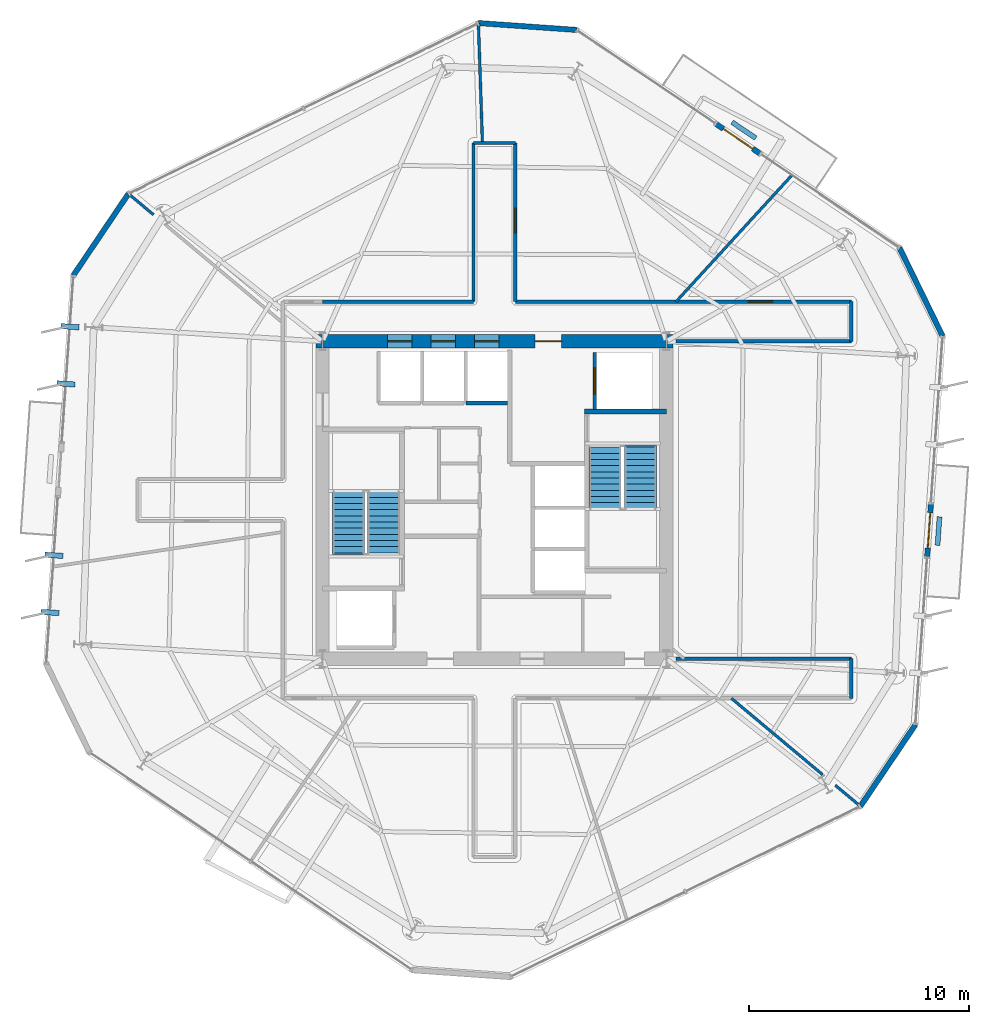
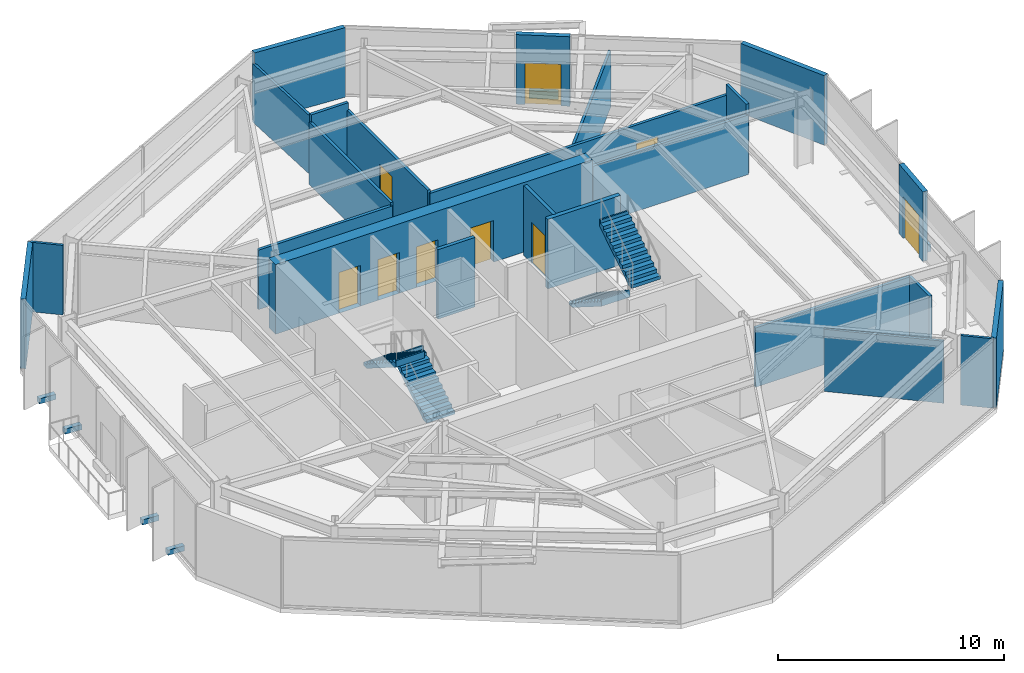
# One storey, part 8 of 14: 26 walls, 9 doors, 4 discrete accessories, 4 stair flights, 9 openings, 2 elements without a shape of their own.
"""IFC4 building model written with IfcOpenShell, lengths in metres."""

from ifc_helpers import new_model, si_unit, direction, frame, frame_2d, origin, origin_2d, place, context, subcontext, project, spatial, polyline, rectangle, outline, extrude, material, layer, layer_set, type_object, element, fill, aggregate, save


model = new_model("IFC4")

# Units and contexts
model_context = context("Model", 3, precision=1e-05, world=origin(), true_north=direction((0.0, 1.0)))
body_context = subcontext(model_context, "Body", "Model", "MODEL_VIEW")
ifc_project = project(units=[si_unit("LENGTHUNIT", "METRE"), si_unit("AREAUNIT", "SQUARE_METRE"), si_unit("VOLUMEUNIT", "CUBIC_METRE"), si_unit("PLANEANGLEUNIT", "RADIAN"), si_unit("MASSUNIT", "GRAM", prefix="KILO")], contexts=[model_context])

# Site, building, storey
site_placement = place(None, origin())
site = spatial("IfcSite", under=ifc_project, at=site_placement, CompositionType="ELEMENT")
building_placement = place(site_placement, origin())
building = spatial("IfcBuilding", under=site, at=building_placement, Name="Kranzbogen Civic Tower", CompositionType="ELEMENT")
storey_placement = place(building_placement, frame((0.0, 0.0, 126.39990234375)))
storey = spatial("IfcBuildingStorey", under=building, at=storey_placement, Name="L30", CompositionType="ELEMENT", Elevation=126.39990234375)

# Walls
ifc_material_1 = material(Name="Double-Stud Acoustic Gypsum Partition")
ifc_layer_1 = layer(ifc_material_1, 0.14990234375, Name="Double-Stud Acoustic Gypsum Partition")
ifc_layer_set_1 = layer_set([ifc_layer_1], Name="Double-Stud Acoustic Gypsum Partition")
wall_type_1 = type_object("IfcWallType", Name="Acoustic Corridor and Clinical Partition 150 mm", PredefinedType="PARTITIONING", material=ifc_layer_set_1)
wall_1_placement = place(storey_placement, frame((17.199951171875, 34.0, 0.0), z_axis=(0.0, 0.0, 1.0), x_axis=(1.0, 0.0, 0.0)))
element("IfcWall", 1, at=wall_1_placement, inside=storey, type_object=wall_type_1, Name="L30 corridor partition 10", PredefinedType="PARTITIONING", context=body_context, shape_type="SweptSolid", body=[
    extrude(rectangle(XDim=6.85009765625, YDim=0.14990234375, at=frame_2d((3.425048828125, 0.0))), origin(), (0.0, 0.0, 1.0), 3.210205078125),
])
wall_2_placement = place(storey_placement, frame((24.050048828125, 34.0, 0.0), z_axis=(0.0, 0.0, 1.0), x_axis=(0.0, 1.0, 0.0)))
element("IfcWall", 2, at=wall_2_placement, inside=storey, type_object=wall_type_1, Name="L30 corridor partition 11", PredefinedType="PARTITIONING", context=body_context, shape_type="SweptSolid", body=[
    extrude(rectangle(XDim=7.199951171875, YDim=0.14990234375, at=frame_2d((3.60009765625, 0.0))), origin(), (0.0, 0.0, 1.0), 3.360107421875),
])
wall_3_placement = place(storey_placement, frame((24.050048828125, 41.199951171875, 0.0), z_axis=(0.0, 0.0, 1.0), x_axis=(1.0, 0.0, 0.0)))
element("IfcWall", 3, at=wall_3_placement, inside=storey, type_object=wall_type_1, Name="L30 corridor partition 12", PredefinedType="PARTITIONING", context=body_context, shape_type="SweptSolid", body=[
    extrude(rectangle(XDim=1.89990234375, YDim=0.14990234375, at=frame_2d((0.949951171875, 0.0))), origin(), (0.0, 0.0, 1.0), 3.760009765625),
])

# Wall, opening, door
wall_4_placement = place(storey_placement, frame((25.949951171875, 41.199951171875, 0.0), z_axis=(0.0, 0.0, 1.0), x_axis=(0.0, -1.0, 0.0)))
wall_4 = element("IfcWall", 4, at=wall_4_placement, inside=storey, type_object=wall_type_1, Name="L30 corridor partition 13", PredefinedType="PARTITIONING", context=body_context, shape_type="SweptSolid", body=[
    extrude(rectangle(XDim=7.199951171875, YDim=0.14990234375, at=frame_2d((3.60009765625, 0.0))), origin(), (0.0, 0.0, 1.0), 3.360107421875),
])
opening_1_placement = place(wall_4_placement, frame((2.9619140625, 0.0, 0.0)))
opening_1 = element("IfcOpeningElement", 5, at=opening_1_placement, cuts=wall_4, Name="Opening D-COR60", PredefinedType="OPENING", context=body_context, shape_type="SweptSolid", body=[
    extrude(rectangle(XDim=1.10009765625, YDim=2.199951171875, at=frame_2d((0.550048828125, 1.10009765625))), frame((0.0, 0.0849609375, 0.0), z_axis=(0.0, -1.0, 0.0), x_axis=(1.0, 0.0, 0.0)), (0.0, 0.0, 1.0), 0.169921875),
])
ifc_material_2 = material(Name="Oak Timber and Fire Core", Category="wood")
door_type_1 = type_object("IfcDoorType", Name="Corridor Acoustic Fire Door 1100x2200", OperationType="NOTDEFINED", PredefinedType="DOOR", material=ifc_material_2)
door_1_placement = place(opening_1_placement, origin())
door_1 = element("IfcDoor", 6, at=door_1_placement, inside=storey, type_object=door_type_1, Name="L30 Hospitality Catering Kitchen door", OperationType="SINGLE_SWING_LEFT", OverallHeight=2.199951171875, OverallWidth=1.10009765625, PredefinedType="DOOR", context=body_context, shape_type="SweptSolid", body=[
    extrude(rectangle(XDim=1.10009765625, YDim=2.199951171875, at=frame_2d((0.550048828125, 1.10009765625))), frame((0.0, 0.02490234375, 0.0), z_axis=(0.0, -1.0, 0.0), x_axis=(1.0, 0.0, 0.0)), (0.0, 0.0, 1.0), 0.050048828125),
])
fill(opening_1, door_1)

wall_5_placement = place(storey_placement, frame((25.949951171875, 34.0, 0.0), z_axis=(0.0, 0.0, 1.0), x_axis=(1.0, 0.0, 0.0)))
wall_5 = element("IfcWall", 7, at=wall_5_placement, inside=storey, type_object=wall_type_1, Name="L30 corridor partition 14", PredefinedType="PARTITIONING", context=body_context, shape_type="SweptSolid", body=[
    extrude(rectangle(XDim=15.25, YDim=0.14990234375, at=frame_2d((7.625, 0.0))), origin(), (0.0, 0.0, 1.0), 3.210205078125),
])
opening_2_placement = place(wall_5_placement, frame((10.5791015625, 0.0, 0.0)))
opening_2 = element("IfcOpeningElement", 8, at=opening_2_placement, cuts=wall_5, Name="Opening D-COR60", PredefinedType="OPENING", context=body_context, shape_type="SweptSolid", body=[
    extrude(rectangle(XDim=1.10009765625, YDim=2.199951171875, at=frame_2d((0.550048828125, 1.10009765625))), frame((0.0, 0.0849609375, 0.0), z_axis=(0.0, -1.0, 0.0), x_axis=(1.0, 0.0, 0.0)), (0.0, 0.0, 1.0), 0.169921875),
])
door_2_placement = place(opening_2_placement, origin())
door_2 = element("IfcDoor", 9, at=door_2_placement, inside=storey, type_object=door_type_1, Name="L30 Staff Tea Pantry door", OperationType="SINGLE_SWING_RIGHT", OverallHeight=2.199951171875, OverallWidth=1.10009765625, PredefinedType="DOOR", context=body_context, shape_type="SweptSolid", body=[
    extrude(rectangle(XDim=1.10009765625, YDim=2.199951171875, at=frame_2d((0.550048828125, 1.10009765625))), frame((0.0, 0.02490234375, 0.0), z_axis=(0.0, -1.0, 0.0), x_axis=(1.0, 0.0, 0.0)), (0.0, 0.0, 1.0), 0.050048828125),
])
fill(opening_2, door_2)

# Walls
wall_6_placement = place(storey_placement, frame((41.199951171875, 34.0, 0.0), z_axis=(0.0, 0.0, 1.0), x_axis=(0.0, -1.0, 0.0)))
element("IfcWall", 10, at=wall_6_placement, inside=storey, type_object=wall_type_1, Name="L30 corridor partition 15", PredefinedType="PARTITIONING", context=body_context, shape_type="SweptSolid", body=[
    extrude(rectangle(XDim=1.800048828125, YDim=0.14990234375, at=frame_2d((0.89990234375, 0.0))), origin(), (0.0, 0.0, 1.0), 3.760009765625),
])
for number, where, z_axis, x_axis, name in (
    (11, (41.199951171875, 32.199951171875, 0.0), (0.0, 0.0, 1.0), (-1.0, 0.0, 0.0), "L30 corridor partition 16"),
    (12, (33.2470703125, 17.800048828125, 0.0), (0.0, 0.0, 1.0), (1.0, 0.0, 0.0), "L30 corridor partition 17"),
):
    element("IfcWall", number, at=place(storey_placement, frame(where, z_axis=z_axis, x_axis=x_axis)), inside=storey, type_object=wall_type_1, Name=name, PredefinedType="PARTITIONING", context=body_context, shape_type="SweptSolid", body=[
        extrude(rectangle(XDim=7.952880859375, YDim=0.14990234375, at=frame_2d((3.9765625, 0.0))), origin(), (0.0, 0.0, 1.0), 3.210205078125),
    ])
wall_7_placement = place(storey_placement, frame((41.199951171875, 17.800048828125, 0.0), z_axis=(0.0, 0.0, 1.0), x_axis=(0.0, -1.0, 0.0)))
element("IfcWall", 13, at=wall_7_placement, inside=storey, type_object=wall_type_1, Name="L30 corridor partition 18", PredefinedType="PARTITIONING", context=body_context, shape_type="SweptSolid", body=[
    extrude(rectangle(XDim=1.800048828125, YDim=0.14990234375, at=frame_2d((0.89990234375, 0.0))), origin(), (0.0, 0.0, 1.0), 3.210205078125),
])
ifc_material_3 = material(Name="Insulated Metal-Stud Gypsum Partition")
ifc_layer_2 = layer(ifc_material_3, 0.125, Name="Insulated Metal-Stud Gypsum Partition")
ifc_layer_set_2 = layer_set([ifc_layer_2], Name="Insulated Metal-Stud Gypsum Partition")
wall_type_2 = type_object("IfcWallType", Name="Acoustic Inter-Room Partition 125 mm", PredefinedType="PARTITIONING", material=ifc_layer_set_2)
wall_8_placement = place(storey_placement, frame((33.242919921875, 34.0, 0.0), z_axis=(0.0, 0.0, 1.0), x_axis=(0.675476997876, 0.737381058436, 0.0)))
element("IfcWall", 14, at=wall_8_placement, inside=storey, type_object=wall_type_2, Name="L30 radial room partition 01", PredefinedType="PARTITIONING", context=body_context, shape_type="SweptSolid", body=[
    extrude(rectangle(XDim=7.769287109375, YDim=0.125, at=frame_2d((3.884765625, 0.0))), origin(), (0.0, 0.0, 1.0), 3.050048828125),
])
wall_9_placement = place(storey_placement, frame((24.4560546875, 41.199951171875, 0.0), z_axis=(0.0, 0.0, 1.0), x_axis=(-0.03373264791, 0.999430892291, 0.0)))
element("IfcWall", 15, at=wall_9_placement, inside=storey, type_object=wall_type_2, Name="L30 radial room partition 02", PredefinedType="PARTITIONING", context=body_context, shape_type="SweptSolid", body=[
    extrude(rectangle(XDim=5.42822265625, YDim=0.125, at=frame_2d((2.714111328125, 0.0))), origin(), (0.0, 0.0, 1.0), 3.16015625),
])
wall_10_placement = place(storey_placement, frame((9.530029296875, 37.946044921875, 0.0), z_axis=(0.0, 0.0, 1.0), x_axis=(-0.766853077224, 0.641822684199, 0.0)))
element("IfcWall", 16, at=wall_10_placement, inside=storey, type_object=wall_type_2, Name="L30 radial room partition 03 part 2", PredefinedType="PARTITIONING", context=body_context, shape_type="SweptSolid", body=[
    extrude(rectangle(XDim=1.464599609375, YDim=0.125, at=frame_2d((0.732421875, 0.0))), origin(), (0.0, 0.0, 1.0), 3.760009765625),
])
wall_11_placement = place(storey_placement, frame((35.7548828125, 16.0, 0.0), z_axis=(0.0, 0.0, 1.0), x_axis=(0.766842661683, -0.641835128536, 0.0)))
element("IfcWall", 17, at=wall_11_placement, inside=storey, type_object=wall_type_2, Name="L30 radial room partition 08 part 1", PredefinedType="PARTITIONING", context=body_context, shape_type="SweptSolid", body=[
    extrude(rectangle(XDim=5.392333984375, YDim=0.125, at=frame_2d((2.6962890625, 0.0))), origin(), (0.0, 0.0, 1.0), 3.360107421875),
])
wall_12_placement = place(storey_placement, frame((40.469970703125, 12.053955078125, 0.0), z_axis=(0.0, 0.0, 1.0), x_axis=(0.766853077224, -0.641822684199, 0.0)))
element("IfcWall", 18, at=wall_12_placement, inside=storey, type_object=wall_type_2, Name="L30 radial room partition 08 part 2", PredefinedType="PARTITIONING", context=body_context, shape_type="SweptSolid", body=[
    extrude(rectangle(XDim=1.464599609375, YDim=0.125, at=frame_2d((0.732421875, 0.0))), origin(), (0.0, 0.0, 1.0), 3.760009765625),
])
ifc_material_4 = material(Name="Architectural Precast Terracotta Concrete C40/50", Category="masonry")
ifc_layer_3 = layer(ifc_material_4, 0.219970703125, Name="Architectural Precast Terracotta Concrete C40/50")
ifc_layer_set_3 = layer_set([ifc_layer_3], Name="Architectural Precast Terracotta Concrete C40/50")
wall_type_3 = type_object("IfcWallType", Name="Architectural Tree Planter Kerb Wall 220 mm", PredefinedType="USERDEFINED", material=ifc_layer_set_3)
wall_13_placement = place(storey_placement, frame((45.110107421875, 22.943115234375, 0.0), z_axis=(0.0, 0.0, 1.0), x_axis=(0.069163294949, 0.997605352147, 0.0)))
element("IfcWall", 19, at=wall_13_placement, inside=storey, type_object=wall_type_3, Name="L30 landscaped tree balcony planter L30-TB2", ObjectType="PLANTER_WALL", PredefinedType="USERDEFINED", context=body_context, shape_type="SweptSolid", body=[
    extrude(rectangle(XDim=1.299072265625, YDim=0.219970703125, at=frame_2d((0.6494140625, 0.0))), origin(), (0.0, 0.0, 1.0), 0.400146484375),
])
wall_14_placement = place(storey_placement, frame((36.861083984375, 41.422119140625, 0.0), z_axis=(0.0, 0.0, 1.0), x_axis=(-0.829527502059, 0.558465865857, 0.0)))
element("IfcWall", 20, at=wall_14_placement, inside=storey, type_object=wall_type_3, Name="L30 landscaped tree balcony planter L30-ST", ObjectType="PLANTER_WALL", PredefinedType="USERDEFINED", context=body_context, shape_type="SweptSolid", body=[
    extrude(rectangle(XDim=1.2998046875, YDim=0.219970703125, at=frame_2d((0.64990234375, 0.0))), origin(), (0.0, 0.0, 1.0), 0.400146484375),
])

# Wall, openings, doors
ifc_material_5 = material(Name="Concrete C55/67", Category="concrete")
ifc_layer_4 = layer(ifc_material_5, 0.60009765625, Name="Concrete C55/67")
ifc_layer_set_4 = layer_set([ifc_layer_4], Name="Concrete C55/67")
wall_type_4 = type_object("IfcWallType", Name="Central Core Shear Wall 600 mm", PredefinedType="SHEAR", material=ifc_layer_set_4)
wall_15_placement = place(storey_placement, frame((33.10009765625, 32.199951171875, 0.0), z_axis=(0.0, 0.0, 1.0), x_axis=(-1.0, 0.0, 0.0)))
wall_15 = element("IfcWall", 21, at=wall_15_placement, inside=storey, type_object=wall_type_4, Name="L30 central core North shear wall", PredefinedType="SHEAR", context=body_context, shape_type="SweptSolid", body=[
    extrude(rectangle(XDim=16.2001953125, YDim=0.60009765625, at=frame_2d((8.10009765625, 0.0))), origin(), (0.0, 0.0, 1.0), 3.760009765625),
])
opening_3_placement = place(wall_15_placement, frame((5.050048828125, 0.0, 0.0)))
opening_3 = element("IfcOpeningElement", 22, at=opening_3_placement, cuts=wall_15, Name="Opening D-EX120", PredefinedType="OPENING", context=body_context, shape_type="SweptSolid", body=[
    extrude(rectangle(XDim=1.199951171875, YDim=2.25, at=frame_2d((0.60009765625, 1.125))), frame((0.0, 0.31005859375, 0.0), z_axis=(0.0, -1.0, 0.0), x_axis=(1.0, 0.0, 0.0)), (0.0, 0.0, 1.0), 0.6201171875),
])
opening_4_placement = place(wall_15_placement, frame((11.85009765625, 0.0, 0.0)))
opening_4 = element("IfcOpeningElement", 23, at=opening_4_placement, cuts=wall_15, Name="Opening LD-MP-01", PredefinedType="OPENING", context=body_context, shape_type="SweptSolid", body=[
    extrude(rectangle(XDim=1.10009765625, YDim=2.199951171875, at=frame_2d((0.550048828125, 1.10009765625))), frame((0.0, 0.31005859375, 0.0), z_axis=(0.0, -1.0, 0.0), x_axis=(1.0, 0.0, 0.0)), (0.0, 0.0, 1.0), 0.6201171875),
])
opening_5_placement = place(wall_15_placement, frame((9.875, 0.0, 0.0)))
opening_5 = element("IfcOpeningElement", 24, at=opening_5_placement, cuts=wall_15, Name="Opening LD-MP-02", PredefinedType="OPENING", context=body_context, shape_type="SweptSolid", body=[
    extrude(rectangle(XDim=1.10009765625, YDim=2.199951171875, at=frame_2d((0.550048828125, 1.10009765625))), frame((0.0, 0.31005859375, 0.0), z_axis=(0.0, -1.0, 0.0), x_axis=(1.0, 0.0, 0.0)), (0.0, 0.0, 1.0), 0.6201171875),
])
opening_6_placement = place(wall_15_placement, frame((7.89990234375, 0.0, 0.0)))
opening_6 = element("IfcOpeningElement", 25, at=opening_6_placement, cuts=wall_15, Name="Opening LD-MP-03", PredefinedType="OPENING", context=body_context, shape_type="SweptSolid", body=[
    extrude(rectangle(XDim=1.10009765625, YDim=2.199951171875, at=frame_2d((0.550048828125, 1.10009765625))), frame((0.0, 0.31005859375, 0.0), z_axis=(0.0, -1.0, 0.0), x_axis=(1.0, 0.0, 0.0)), (0.0, 0.0, 1.0), 0.6201171875),
])
ifc_material_6 = material(Name="Steel S355", Category="steel")
door_type_2 = type_object("IfcDoorType", Name="Exit Passageway Fire Door 1200x2250", OperationType="NOTDEFINED", PredefinedType="DOOR", material=ifc_material_6)
door_3_placement = place(opening_3_placement, origin())
door_3 = element("IfcDoor", 26, at=door_3_placement, inside=storey, type_object=door_type_2, Name="L30 East firefighting lobby corridor door", OperationType="SINGLE_SWING_RIGHT", OverallHeight=2.25, OverallWidth=1.199951171875, PredefinedType="DOOR", context=body_context, shape_type="SweptSolid", body=[
    extrude(rectangle(XDim=1.199951171875, YDim=2.25, at=frame_2d((0.60009765625, 1.125))), frame((0.0, 0.02490234375, 0.0), z_axis=(0.0, -1.0, 0.0), x_axis=(1.0, 0.0, 0.0)), (0.0, 0.0, 1.0), 0.050048828125),
])
fill(opening_3, door_3)
ifc_material_7 = material(Name="Pale Anodised Aluminium", Category="aluminium")
door_type_3 = type_object("IfcDoorType", Name="Passenger Lift Sliding Landing Door 1100x2200", OperationType="DOUBLE_DOOR_SLIDING", PredefinedType="DOOR", material=ifc_material_7)
door_4_placement = place(opening_4_placement, origin())
door_4 = element("IfcDoor", 27, at=door_4_placement, inside=storey, type_object=door_type_3, Name="L30 lift MP-01 sliding landing door", OperationType="DOUBLE_DOOR_SLIDING", OverallHeight=2.199951171875, OverallWidth=1.10009765625, PredefinedType="DOOR", context=body_context, shape_type="SweptSolid", body=[
    extrude(rectangle(XDim=1.10009765625, YDim=2.199951171875, at=frame_2d((0.550048828125, 1.10009765625))), frame((0.0, 0.02490234375, 0.0), z_axis=(0.0, -1.0, 0.0), x_axis=(1.0, 0.0, 0.0)), (0.0, 0.0, 1.0), 0.050048828125),
])
fill(opening_4, door_4)
door_5_placement = place(opening_5_placement, origin())
door_5 = element("IfcDoor", 28, at=door_5_placement, inside=storey, type_object=door_type_3, Name="L30 lift MP-02 sliding landing door", OperationType="DOUBLE_DOOR_SLIDING", OverallHeight=2.199951171875, OverallWidth=1.10009765625, PredefinedType="DOOR", context=body_context, shape_type="SweptSolid", body=[
    extrude(rectangle(XDim=1.10009765625, YDim=2.199951171875, at=frame_2d((0.550048828125, 1.10009765625))), frame((0.0, 0.02490234375, 0.0), z_axis=(0.0, -1.0, 0.0), x_axis=(1.0, 0.0, 0.0)), (0.0, 0.0, 1.0), 0.050048828125),
])
fill(opening_5, door_5)
door_6_placement = place(opening_6_placement, origin())
door_6 = element("IfcDoor", 29, at=door_6_placement, inside=storey, type_object=door_type_3, Name="L30 lift MP-03 sliding landing door", OperationType="DOUBLE_DOOR_SLIDING", OverallHeight=2.199951171875, OverallWidth=1.10009765625, PredefinedType="DOOR", context=body_context, shape_type="SweptSolid", body=[
    extrude(rectangle(XDim=1.10009765625, YDim=2.199951171875, at=frame_2d((0.550048828125, 1.10009765625))), frame((0.0, 0.02490234375, 0.0), z_axis=(0.0, -1.0, 0.0), x_axis=(1.0, 0.0, 0.0)), (0.0, 0.0, 1.0), 0.050048828125),
])
fill(opening_6, door_6)

# Walls
ifc_material_8 = material(Name="Concrete C45/55", Category="concrete")
ifc_layer_5 = layer(ifc_material_8, 0.219970703125, Name="Concrete C45/55")
ifc_layer_set_5 = layer_set([ifc_layer_5], Name="Concrete C45/55")
wall_type_5 = type_object("IfcWallType", Name="Core Internal Stair Structural Wall 220 mm", PredefinedType="SOLIDWALL", material=ifc_layer_set_5)
wall_16_placement = place(storey_placement, frame((29.080078125, 29.010009765625, 0.0), z_axis=(0.0, 0.0, 1.0), x_axis=(1.0, 0.0, 0.0)))
element("IfcWall", 30, at=wall_16_placement, inside=storey, type_object=wall_type_5, Name="L30 ST-T2 North structural stair wall", PredefinedType="SOLIDWALL", context=body_context, shape_type="SweptSolid", body=[
    extrude(rectangle(XDim=3.719970703125, YDim=0.219970703125, at=frame_2d((1.85986328125, 0.0))), origin(), (0.0, 0.0, 1.0), 3.760009765625),
])
ifc_material_9 = material(Name="Gypsum Fireboard Shaftliner")
ifc_layer_6 = layer(ifc_material_9, 0.175048828125, Name="Gypsum Fireboard Shaftliner")
ifc_layer_set_6 = layer_set([ifc_layer_6], Name="Gypsum Fireboard Shaftliner")
wall_type_6 = type_object("IfcWallType", Name="Fire-Rated Lift and Service Shaft Wall 175 mm", PredefinedType="PARTITIONING", material=ifc_layer_set_6)
wall_17_placement = place(storey_placement, frame((23.699951171875, 29.39990234375, 0.0), z_axis=(0.0, 0.0, 1.0), x_axis=(1.0, 0.0, 0.0)))
element("IfcWall", 31, at=wall_17_placement, inside=storey, type_object=wall_type_6, Name="L30 lift MP-03 rear wall", PredefinedType="PARTITIONING", context=body_context, shape_type="SweptSolid", body=[
    extrude(rectangle(XDim=1.900146484375, YDim=0.175048828125, at=frame_2d((0.9501953125, 0.0))), origin(), (0.0, 0.0, 1.0), 3.760009765625),
])

# Wall, opening, door
wall_18_placement = place(storey_placement, frame((29.550048828125, 29.10009765625, 0.0), z_axis=(0.0, 0.0, 1.0), x_axis=(0.0, 1.0, 0.0)))
wall_18 = element("IfcWall", 32, at=wall_18_placement, inside=storey, type_object=wall_type_6, Name="L30 lift FF-02 landing wall", PredefinedType="PARTITIONING", context=body_context, shape_type="SweptSolid", body=[
    extrude(rectangle(XDim=2.599853515625, YDim=0.175048828125, at=frame_2d((1.2998046875, 0.0))), origin(), (0.0, 0.0, 1.0), 3.760009765625),
])
opening_7_placement = place(wall_18_placement, frame((0.699951171875, 0.0, 0.0)))
opening_7 = element("IfcOpeningElement", 33, at=opening_7_placement, cuts=wall_18, Name="Opening LD-FF-02", PredefinedType="OPENING", context=body_context, shape_type="SweptSolid", body=[
    extrude(rectangle(XDim=1.199951171875, YDim=2.199951171875, at=frame_2d((0.60009765625, 1.10009765625))), frame((0.0, 0.09765625, 0.0), z_axis=(0.0, -1.0, 0.0), x_axis=(1.0, 0.0, 0.0)), (0.0, 0.0, 1.0), 0.195068359375),
])
door_type_4 = type_object("IfcDoorType", Name="Firefighting and Stretcher Lift Sliding Landing Door 1200x2200", OperationType="DOUBLE_DOOR_SLIDING", PredefinedType="DOOR", material=ifc_material_7)
door_7_placement = place(opening_7_placement, origin())
door_7 = element("IfcDoor", 34, at=door_7_placement, inside=storey, type_object=door_type_4, Name="L30 lift FF-02 sliding landing door", OperationType="DOUBLE_DOOR_SLIDING", OverallHeight=2.199951171875, OverallWidth=1.199951171875, PredefinedType="DOOR", context=body_context, shape_type="SweptSolid", body=[
    extrude(rectangle(XDim=1.199951171875, YDim=2.199951171875, at=frame_2d((0.60009765625, 1.10009765625))), frame((0.0, 0.02490234375, 0.0), z_axis=(0.0, -1.0, 0.0), x_axis=(1.0, 0.0, 0.0)), (0.0, 0.0, 1.0), 0.050048828125),
])
fill(opening_7, door_7)

ifc_layer_7 = layer(ifc_material_7, 0.239990234375, Name="Pale Anodised Aluminium")
ifc_layer_set_7 = layer_set([ifc_layer_7], Name="Pale Anodised Aluminium")
wall_type_7 = type_object("IfcWallType", Name="Insulated Aluminium Facade Portal Wall 240 mm", PredefinedType="STANDARD", material=ifc_layer_set_7)
wall_19_placement = place(storey_placement, frame((37.051025390625, 40.720947265625, 0.0), z_axis=(0.0, 0.0, 1.0), x_axis=(-0.828953641959, 0.559317315558, 0.0)))
wall_19 = element("IfcWall", 35, at=wall_19_placement, inside=storey, type_object=wall_type_7, Name="L30 exterior entrance portal wall 1", PredefinedType="STANDARD", context=body_context, shape_type="SweptSolid", body=[
    extrude(rectangle(XDim=2.3994140625, YDim=0.239990234375, at=frame_2d((1.19970703125, 0.0))), origin(), (0.0, 0.0, 1.0), 3.760009765625),
])
opening_8_placement = place(wall_19_placement, frame((0.39990234375, 0.0, 0.0)))
opening_8 = element("IfcOpeningElement", 36, at=opening_8_placement, cuts=wall_19, Name="Opening D-TER", PredefinedType="OPENING", context=body_context, shape_type="SweptSolid", body=[
    extrude(rectangle(XDim=1.60009765625, YDim=2.25, at=frame_2d((0.800048828125, 1.125))), frame((0.0, 0.1298828125, 0.0), z_axis=(0.0, -1.0, 0.0), x_axis=(1.0, 0.0, 0.0)), (0.0, 0.0, 1.0), 0.260009765625),
])
ifc_material_10 = material(Name="Anodised Bronze and Triple Glass", Category="glass")
door_type_5 = type_object("IfcDoorType", Name="Glazed Terrace and Balcony Double Door 1600x2250", OperationType="DOUBLE_DOOR_SINGLE_SWING", PredefinedType="DOOR", material=ifc_material_10)
door_8_placement = place(opening_8_placement, frame((1.60009765625, 0.0, 0.0), z_axis=(0.0, 0.0, 1.0), x_axis=(-1.0, 0.0, 0.0)))
door_8 = element("IfcDoor", 37, at=door_8_placement, inside=storey, type_object=door_type_5, Name="L30 spiral terrace access door L30-ST", OperationType="DOUBLE_DOOR_SINGLE_SWING", OverallHeight=2.25, OverallWidth=1.60009765625, PredefinedType="DOOR", context=body_context, shape_type="SweptSolid", body=[
    extrude(rectangle(XDim=1.60009765625, YDim=2.25, at=frame_2d((0.800048828125, 1.125))), frame((0.0, 0.02490234375, 0.0), z_axis=(0.0, -1.0, 0.0), x_axis=(1.0, 0.0, 0.0)), (0.0, 0.0, 1.0), 0.050048828125),
])
fill(opening_8, door_8)

# Walls
wall_20_placement = place(storey_placement, frame((28.73291015625, 46.33203125, 0.0), z_axis=(0.0, 0.0, 1.0), x_axis=(-0.997561857217, 0.069787828636, 0.0)))
element("IfcWall", 38, at=wall_20_placement, inside=storey, type_object=wall_type_7, Name="L30 chamfered corner facade spandrel 1", PredefinedType="STANDARD", context=body_context, shape_type="SweptSolid", body=[
    extrude(rectangle(XDim=4.470947265625, YDim=0.239990234375, at=frame_2d((2.2353515625, 0.0))), origin(), (0.0, 0.0, 1.0), 3.760009765625),
])
for number, where, z_axis, x_axis, name in (
    (39, (8.39208984375, 38.89794921875, 0.0), (0.0, 0.0, 1.0), (-0.559078804203, -0.82911452206, 0.0), "L30 chamfered corner facade spandrel 2"),
    (40, (41.60791015625, 11.10205078125, 0.0), (0.0, 0.0, 1.0), (0.559078804203, 0.82911452206, 0.0), "L30 chamfered corner facade spandrel 5"),
):
    element("IfcWall", number, at=place(storey_placement, frame(where, z_axis=z_axis, x_axis=x_axis)), inside=storey, type_object=wall_type_7, Name=name, PredefinedType="STANDARD", context=body_context, shape_type="SweptSolid", body=[
        extrude(rectangle(XDim=4.469970703125, YDim=0.239990234375, at=frame_2d((2.23486328125, 0.0))), origin(), (0.0, 0.0, 1.0), 3.760009765625),
    ])

# Wall, opening, door
wall_21_placement = place(storey_placement, frame((44.639892578125, 22.424072265625, 0.0), z_axis=(0.0, 0.0, 1.0), x_axis=(0.070090302694, 0.997540650534, 0.0)))
wall_21 = element("IfcWall", 41, at=wall_21_placement, inside=storey, type_object=wall_type_7, Name="L30 exterior entrance portal wall 1", PredefinedType="STANDARD", context=body_context, shape_type="SweptSolid", body=[
    extrude(rectangle(XDim=2.39990234375, YDim=0.239990234375, at=frame_2d((1.199951171875, 0.0))), origin(), (0.0, 0.0, 1.0), 3.760009765625),
])
opening_9_placement = place(wall_21_placement, frame((0.39990234375, 0.0, 0.0)))
opening_9 = element("IfcOpeningElement", 42, at=opening_9_placement, cuts=wall_21, Name="Opening D-TER", PredefinedType="OPENING", context=body_context, shape_type="SweptSolid", body=[
    extrude(rectangle(XDim=1.60009765625, YDim=2.25, at=frame_2d((0.800048828125, 1.125))), frame((0.0, 0.1298828125, 0.0), z_axis=(0.0, -1.0, 0.0), x_axis=(1.0, 0.0, 0.0)), (0.0, 0.0, 1.0), 0.260009765625),
])
door_9_placement = place(opening_9_placement, frame((1.60009765625, 0.0, 0.0), z_axis=(0.0, 0.0, 1.0), x_axis=(-1.0, 0.0, 0.0)))
door_9 = element("IfcDoor", 43, at=door_9_placement, inside=storey, type_object=door_type_5, Name="L30 tree balcony access door L30-TB2", OperationType="DOUBLE_DOOR_SINGLE_SWING", OverallHeight=2.25, OverallWidth=1.60009765625, PredefinedType="DOOR", context=body_context, shape_type="SweptSolid", body=[
    extrude(rectangle(XDim=1.60009765625, YDim=2.25, at=frame_2d((0.800048828125, 1.125))), frame((0.0, 0.02490234375, 0.0), z_axis=(0.0, -1.0, 0.0), x_axis=(1.0, 0.0, 0.0)), (0.0, 0.0, 1.0), 0.050048828125),
])
fill(opening_9, door_9)

# Wall
wall_22_placement = place(storey_placement, frame((45.341064453125, 32.43310546875, 0.0), z_axis=(0.0, 0.0, 1.0), x_axis=(-0.438566687479, 0.898698648399, 0.0)))
element("IfcWall", 44, at=wall_22_placement, inside=storey, type_object=wall_type_7, Name="L30 chamfered corner facade spandrel 6", PredefinedType="STANDARD", context=body_context, shape_type="SweptSolid", body=[
    extrude(rectangle(XDim=4.4716796875, YDim=0.239990234375, at=frame_2d((2.23583984375, 0.0))), origin(), (0.0, 0.0, 1.0), 3.760009765625),
])

# Stair, stair flights
ifc_material_11 = material(Name="Precast concrete C40/50", Category="concrete")
stair_type_1 = type_object("IfcStairType", Name="Tower Core Pressurized Dogleg Stair 1450", PredefinedType="HALF_TURN_STAIR", material=ifc_material_11)
stair_1_placement = place(storey_placement, origin())
stair_1 = element("IfcStair", 45, at=stair_1_placement, inside=storey, type_object=stair_type_1, Name="L30 Tower Core Pressurized Stair 1", PredefinedType="HALF_TURN_STAIR")
stair_flight_type = type_object("IfcStairFlightType", Name="Precast Concrete Stair Flight R180", PredefinedType="STRAIGHT", material=ifc_material_11)
stair_flight_1_placement = place(storey_placement, frame((19.97509765625, 22.60009765625, 0.0), z_axis=(0.0, 0.0, 1.0), x_axis=(0.0, 1.0, 0.0)))
stair_flight_1 = element("IfcStairFlight", 46, at=stair_flight_1_placement, type_object=stair_flight_type, Name="ST-T1 flight 1", NumberOfRisers=11, NumberOfTreads=10, PredefinedType="STRAIGHT", RiserHeight=0.181818182, TreadLength=0.28, context=body_context, shape_type="SweptSolid", body=[
    extrude(outline(polyline([(0.0, 0.0), (0.0, 0.181884765625), (0.280029296875, 0.181884765625), (0.280029296875, 0.363525390625), (0.56005859375, 0.363525390625), (0.56005859375, 0.54541015625), (0.840087890625, 0.54541015625), (0.840087890625, 0.727294921875), (1.1201171875, 0.727294921875), (1.1201171875, 0.9091796875), (1.39990234375, 0.9091796875), (1.39990234375, 1.0908203125), (1.679931640625, 1.0908203125), (1.679931640625, 1.272705078125), (1.9599609375, 1.272705078125), (1.9599609375, 1.45458984375), (2.239990234375, 1.45458984375), (2.239990234375, 1.636474609375), (2.52001953125, 1.636474609375), (2.52001953125, 1.818115234375), (2.800048828125, 1.818115234375), (2.800048828125, 2.0), (2.880126953125, 2.0), (2.880126953125, 1.639404296875), (0.275146484375, 0.0), (0.0, 0.0)])), frame((0.0, 0.72509765625, 0.0), z_axis=(0.0, -1.0, 0.0), x_axis=(1.0, 0.0, 0.0)), (0.0, 0.0, 1.0), 1.449951171875),
])
stair_flight_2_placement = place(storey_placement, frame((18.375, 25.39990234375, 2.0), z_axis=(0.0, 0.0, 1.0), x_axis=(0.0, -1.0, 0.0)))
stair_flight_2 = element("IfcStairFlight", 47, at=stair_flight_2_placement, type_object=stair_flight_type, Name="ST-T1 flight 2", NumberOfRisers=11, NumberOfTreads=10, PredefinedType="STRAIGHT", RiserHeight=0.181818182, TreadLength=0.28, context=body_context, shape_type="SweptSolid", body=[
    extrude(outline(polyline([(0.0, 0.0), (0.0, 0.181884765625), (0.280029296875, 0.181884765625), (0.280029296875, 0.363525390625), (0.56005859375, 0.363525390625), (0.56005859375, 0.54541015625), (0.840087890625, 0.54541015625), (0.840087890625, 0.727294921875), (1.1201171875, 0.727294921875), (1.1201171875, 0.9091796875), (1.39990234375, 0.9091796875), (1.39990234375, 1.0908203125), (1.679931640625, 1.0908203125), (1.679931640625, 1.272705078125), (1.9599609375, 1.272705078125), (1.9599609375, 1.45458984375), (2.239990234375, 1.45458984375), (2.239990234375, 1.636474609375), (2.52001953125, 1.636474609375), (2.52001953125, 1.818115234375), (2.800048828125, 1.818115234375), (2.800048828125, 2.0), (2.880126953125, 2.0), (2.880126953125, 1.639404296875), (0.275146484375, 0.0), (0.0, 0.0)])), frame((0.0, 0.72509765625, 0.0), z_axis=(0.0, -1.0, 0.0), x_axis=(1.0, 0.0, 0.0)), (0.0, 0.0, 1.0), 1.449951171875),
])
aggregate(stair_1, [stair_flight_1, stair_flight_2])

stair_type_2 = type_object("IfcStairType", Name="Tower Core Secondary Dogleg Stair 1450", PredefinedType="HALF_TURN_STAIR", material=ifc_material_11)
stair_2_placement = place(storey_placement, origin())
stair_2 = element("IfcStair", 48, at=stair_2_placement, inside=storey, type_object=stair_type_2, Name="L30 Tower Core Pressurized Stair 2", PredefinedType="HALF_TURN_STAIR")
stair_flight_3_placement = place(storey_placement, frame((30.02490234375, 27.39990234375, 0.0), z_axis=(0.0, 0.0, 1.0), x_axis=(0.0, -1.0, 0.0)))
stair_flight_3 = element("IfcStairFlight", 49, at=stair_flight_3_placement, type_object=stair_flight_type, Name="ST-T2 flight 1", NumberOfRisers=11, NumberOfTreads=10, PredefinedType="STRAIGHT", RiserHeight=0.181818182, TreadLength=0.28, context=body_context, shape_type="SweptSolid", body=[
    extrude(outline(polyline([(0.0, 0.0), (0.0, 0.181884765625), (0.280029296875, 0.181884765625), (0.280029296875, 0.363525390625), (0.56005859375, 0.363525390625), (0.56005859375, 0.54541015625), (0.840087890625, 0.54541015625), (0.840087890625, 0.727294921875), (1.1201171875, 0.727294921875), (1.1201171875, 0.9091796875), (1.39990234375, 0.9091796875), (1.39990234375, 1.0908203125), (1.679931640625, 1.0908203125), (1.679931640625, 1.272705078125), (1.9599609375, 1.272705078125), (1.9599609375, 1.45458984375), (2.239990234375, 1.45458984375), (2.239990234375, 1.636474609375), (2.52001953125, 1.636474609375), (2.52001953125, 1.818115234375), (2.800048828125, 1.818115234375), (2.800048828125, 2.0), (2.880126953125, 2.0), (2.880126953125, 1.639404296875), (0.275146484375, 0.0), (0.0, 0.0)])), frame((0.0, 0.72509765625, 0.0), z_axis=(0.0, -1.0, 0.0), x_axis=(1.0, 0.0, 0.0)), (0.0, 0.0, 1.0), 1.449951171875),
])
stair_flight_4_placement = place(storey_placement, frame((31.625, 24.60009765625, 2.0), z_axis=(0.0, 0.0, 1.0), x_axis=(0.0, 1.0, 0.0)))
stair_flight_4 = element("IfcStairFlight", 50, at=stair_flight_4_placement, type_object=stair_flight_type, Name="ST-T2 flight 2", NumberOfRisers=11, NumberOfTreads=10, PredefinedType="STRAIGHT", RiserHeight=0.181818182, TreadLength=0.28, context=body_context, shape_type="SweptSolid", body=[
    extrude(outline(polyline([(0.0, 0.0), (0.0, 0.181884765625), (0.280029296875, 0.181884765625), (0.280029296875, 0.363525390625), (0.56005859375, 0.363525390625), (0.56005859375, 0.54541015625), (0.840087890625, 0.54541015625), (0.840087890625, 0.727294921875), (1.1201171875, 0.727294921875), (1.1201171875, 0.9091796875), (1.39990234375, 0.9091796875), (1.39990234375, 1.0908203125), (1.679931640625, 1.0908203125), (1.679931640625, 1.272705078125), (1.9599609375, 1.272705078125), (1.9599609375, 1.45458984375), (2.239990234375, 1.45458984375), (2.239990234375, 1.636474609375), (2.52001953125, 1.636474609375), (2.52001953125, 1.818115234375), (2.800048828125, 1.818115234375), (2.800048828125, 2.0), (2.880126953125, 2.0), (2.880126953125, 1.639404296875), (0.275146484375, 0.0), (0.0, 0.0)])), frame((0.0, 0.72509765625, 0.0), z_axis=(0.0, -1.0, 0.0), x_axis=(1.0, 0.0, 0.0)), (0.0, 0.0, 1.0), 1.449951171875),
])
aggregate(stair_2, [stair_flight_3, stair_flight_4])

# Discrete accessories
discrete_accessory_type = type_object("IfcDiscreteAccessoryType", Name="Structural Curtain-Wall Fin Support Bracket", PredefinedType="BRACKET", material=ifc_material_6)
for number, where, z_axis, x_axis, name in (
    (51, (5.741943359375, 32.863037109375, -0.25), (0.0, 0.0, 1.0), (-0.99756405026, 0.069756473744, 0.0), "L30 facade fin support bracket F3-1"),
    (52, (5.56005859375, 30.26904296875, -0.25), (0.0, 0.0, 1.0), (-0.99756405026, 0.069756473744, 0.0), "L30 facade fin support bracket F3-2"),
    (53, (5.01611328125, 22.488037109375, -0.25), (0.0, 0.0, 1.0), (-0.99756405026, 0.069756473744, 0.0), "L30 facade fin support bracket F3-5"),
    (54, (4.8349609375, 19.89501953125, -0.25), (0.0, 0.0, 1.0), (-0.99756405026, 0.069756473744, 0.0), "L30 facade fin support bracket F3-6"),
):
    element("IfcDiscreteAccessory", number, at=place(storey_placement, frame(where, z_axis=z_axis, x_axis=x_axis)), inside=storey, type_object=discrete_accessory_type, Name=name, PredefinedType="BRACKET", context=body_context, shape_type="SweptSolid", body=[
        extrude(rectangle(XDim=0.820068359375, YDim=0.239990234375, at=origin_2d()), origin(), (0.0, 0.0, 1.0), 0.280029296875),
    ])

save(model, "model.ifc")
